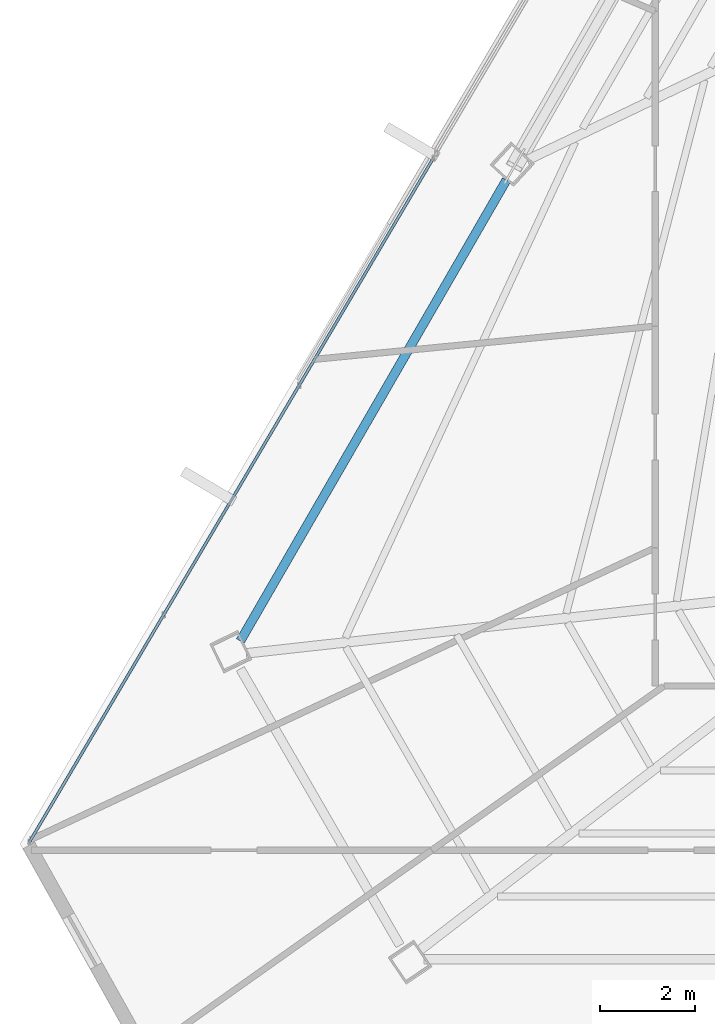
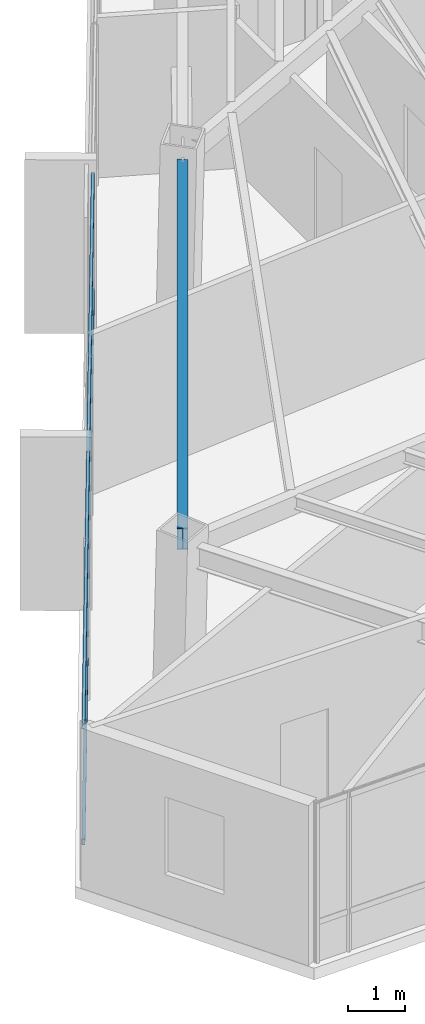
# One storey, part 8 of 44: 2 members, 1 beam, 1 element without a shape of its own.
"""IFC4 building model written with IfcOpenShell, lengths in metres."""

from ifc_helpers import new_model, si_unit, direction, frame, origin, origin_2d, place, context, subcontext, project, spatial, hollow_rectangle, i_section, extrude, source, transform, mapped, material, material_profile, profile_set, type_object, type_shapes, element, aggregate, save


model = new_model("IFC4")

# Units and contexts
model_context = context("Model", 3, precision=1e-05, world=origin(), true_north=direction((0.0, 1.0)))
body_context = subcontext(model_context, "Body", "Model", "MODEL_VIEW")
ifc_project = project(units=[si_unit("LENGTHUNIT", "METRE"), si_unit("AREAUNIT", "SQUARE_METRE"), si_unit("VOLUMEUNIT", "CUBIC_METRE"), si_unit("PLANEANGLEUNIT", "RADIAN"), si_unit("MASSUNIT", "GRAM", prefix="KILO")], contexts=[model_context])

# Site, building, storey
site_placement = place(None, origin())
site = spatial("IfcSite", under=ifc_project, at=site_placement, CompositionType="ELEMENT")
building_placement = place(site_placement, origin())
building = spatial("IfcBuilding", under=site, at=building_placement, Name="Caelisora Broadcast Tower", CompositionType="ELEMENT")
storey_placement = place(building_placement, frame((0.0, 0.0, 259.050048828125)))
storey = spatial("IfcBuildingStorey", under=building, at=storey_placement, Name="L68", CompositionType="ELEMENT", Elevation=259.050048828125)

# Beam
ifc_material_1 = material(Name="Steel Grade 350 (AS/NZS 3679.1)", Category="steel")
ifc_material_profile_1 = material_profile(ifc_material_1, i_section(OverallWidth=0.19091796875, OverallDepth=0.46044921875, WebThickness=0.010009765625, FlangeThickness=0.01611328125, at=origin_2d()), Name="Steel Grade 350 (AS/NZS 3679.1)")
ifc_profile_set_1 = profile_set([ifc_material_profile_1], Name="Steel Grade 350 (AS/NZS 3679.1)")
beam_type = type_object("IfcBeamType", Name="PG06", PredefinedType="BEAM", material=ifc_profile_set_1)
shared_shape_1 = source(origin(), body_context, "Body", "SweptSolid", [
    extrude(i_section(OverallWidth=0.19091796875, OverallDepth=0.46044921875, WebThickness=0.010009765625, FlangeThickness=0.01611328125, at=origin_2d()), origin(), (0.0, 0.0, 1.0), 11.18994140625),
])
type_shapes(beam_type, [shared_shape_1])
beam_placement = place(storey_placement, frame((22.269775390625, 25.8408203125, 3.169677734375), z_axis=(-0.500003857942, -0.866023176389, 0.0), x_axis=(0.866023176389, -0.500003857942, 0.0)))
element("IfcBeam", 1, at=beam_placement, inside=storey, type_object=beam_type, Name="L68 beam PG06", PredefinedType="BEAM", context=body_context, shape_type="MappedRepresentation", body=[
    mapped(shared_shape_1, transform((0.0, 0.0, 0.0), scale=1.0)),
])

# Curtain wall, members
ifc_material_2 = material(Name="Unitised Aluminium and Low-E Glass Curtain Wall", Category="glass")
curtain_wall_type = type_object("IfcCurtainWallType", Name="CW-Z5", PredefinedType="NOTDEFINED", material=ifc_material_2)
curtain_wall_placement = place(storey_placement, origin())
curtain_wall = element("IfcCurtainWall", 2, at=curtain_wall_placement, inside=storey, type_object=curtain_wall_type, Name="L68 curtain wall CW-Z5", PredefinedType="NOTDEFINED")
ifc_material_3 = material(Name="Aluminium 6063-T6 Anodised Terracotta Bronze", Category="aluminium")
ifc_material_profile_2 = material_profile(ifc_material_3, hollow_rectangle(XDim=0.06005859375, YDim=0.1201171875, WallThickness=0.0029296875, at=origin_2d()), Name="Aluminium 6063-T6 Anodised Terracotta Bronze")
ifc_profile_set_2 = profile_set([ifc_material_profile_2], Name="Aluminium 6063-T6 Anodised Terracotta Bronze")
member_type = type_object("IfcMemberType", Name="CWT-03", PredefinedType="USERDEFINED", material=ifc_profile_set_2)
shared_shape_2 = source(origin(), body_context, "Body", "SweptSolid", [
    extrude(hollow_rectangle(XDim=0.06005859375, YDim=0.1201171875, WallThickness=0.0029296875, at=origin_2d()), origin(), (0.0, 0.0, 1.0), 16.710205078125),
])
type_shapes(member_type, [shared_shape_2])
member_1_placement = place(storey_placement, frame((12.240478515625, 11.920166015625, 0.849853515625), z_axis=(0.508482191436, 0.861072506234, 0.0), x_axis=(-0.861072506234, 0.508482191436, 0.0)))
member_1 = element("IfcMember", 3, at=member_1_placement, type_object=member_type, Name="L68-CW-B09 transom #1", ObjectType="TRANSOM", PredefinedType="USERDEFINED", context=body_context, shape_type="MappedRepresentation", body=[
    mapped(shared_shape_2, transform((0.0, 0.0, 0.0), scale=1.0)),
])
member_2_placement = place(storey_placement, frame((12.240478515625, 11.920166015625, 3.320068359375), z_axis=(0.508482191436, 0.861072506234, 0.0), x_axis=(-0.861072506234, 0.508482191436, 0.0)))
member_2 = element("IfcMember", 4, at=member_2_placement, type_object=member_type, Name="L68-CW-B09 transom #2", ObjectType="TRANSOM", PredefinedType="USERDEFINED", context=body_context, shape_type="MappedRepresentation", body=[
    mapped(shared_shape_2, transform((0.0, 0.0, 0.0), scale=1.0)),
])
aggregate(curtain_wall, [member_1, member_2])

save(model, "model.ifc")
